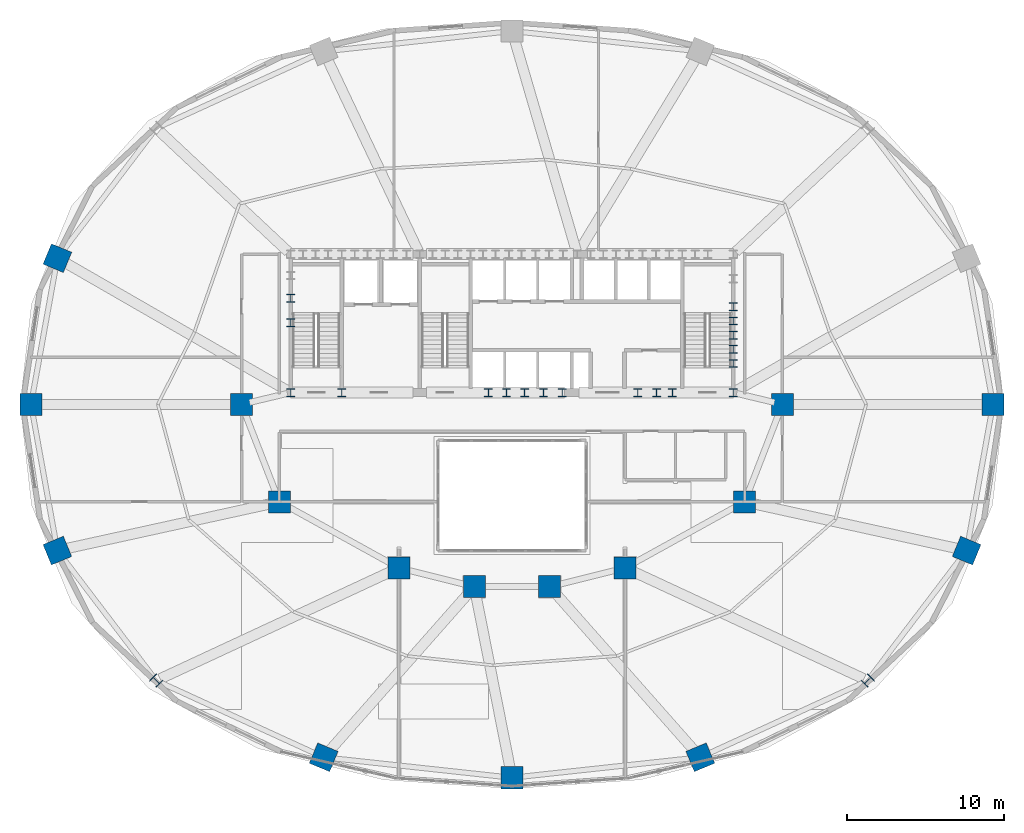
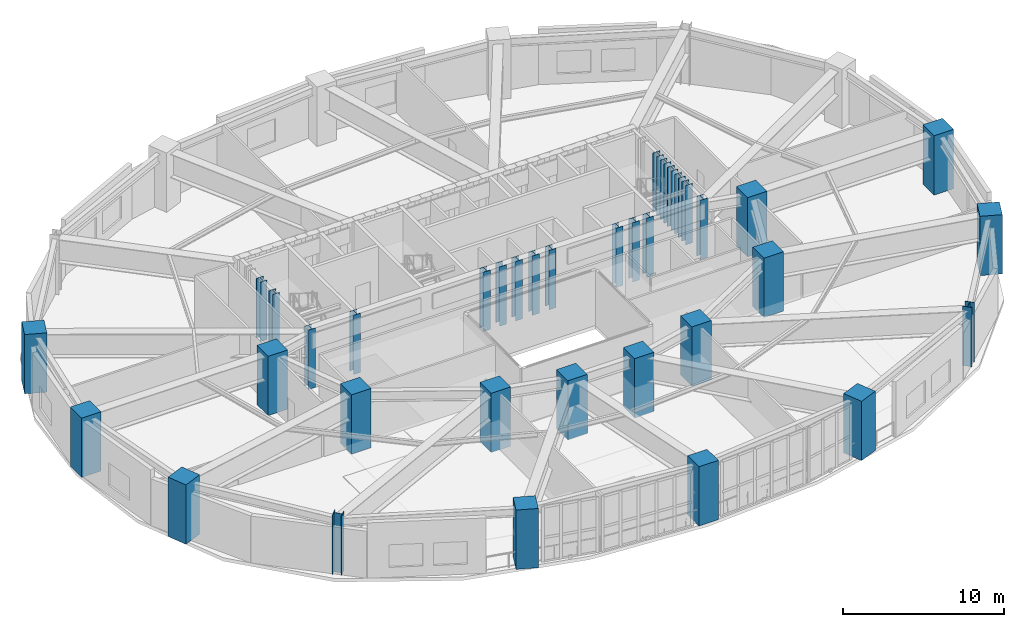
# One storey, part 1 of 13: 36 columns.
"""IFC4 building model written with IfcOpenShell, lengths in metres."""

from ifc_helpers import new_model, si_unit, direction, frame, origin, origin_2d, place, context, subcontext, project, spatial, rectangle, i_section, extrude, material, material_profile, profile_set, type_object, element, save


model = new_model("IFC4")

# Units and contexts
model_context = context("Model", 3, precision=1e-05, world=origin(), true_north=direction((0.0, 1.0)))
body_context = subcontext(model_context, "Body", "Model", "MODEL_VIEW")
ifc_project = project(units=[si_unit("LENGTHUNIT", "METRE"), si_unit("AREAUNIT", "SQUARE_METRE"), si_unit("VOLUMEUNIT", "CUBIC_METRE"), si_unit("PLANEANGLEUNIT", "RADIAN"), si_unit("MASSUNIT", "GRAM", prefix="KILO")], contexts=[model_context])

# Site, building, storey
site_placement = place(None, origin())
site = spatial("IfcSite", under=ifc_project, at=site_placement, CompositionType="ELEMENT")
building_placement = place(site_placement, origin())
building = spatial("IfcBuilding", under=site, at=building_placement, Name="Haldorwick Loom Tower", CompositionType="ELEMENT")
storey_placement = place(building_placement, frame((0.0, 0.0, 72.300048828125)))
storey = spatial("IfcBuildingStorey", under=building, at=storey_placement, Name="L19", CompositionType="ELEMENT", Elevation=72.300048828125)

# Columns
ifc_material_1 = material(Name="Concrete C60 (60 MPa)", Category="concrete")
ifc_material_profile_1 = material_profile(ifc_material_1, rectangle(XDim=1.39990234375, YDim=1.39990234375, at=origin_2d()), Name="RC1400X1400", Category="concrete")
ifc_profile_set_1 = profile_set([ifc_material_profile_1], Name="Concrete C60 (60 MPa)")
column_type_1 = type_object("IfcColumnType", Name="STR-COL-MEGA1400", PredefinedType="COLUMN", material=ifc_profile_set_1)
for number, where, z_axis, x_axis, name in (
    (1, (53.199951171875, 26.0, 0.0), (0.0, 0.0, 1.0), (1.0, 0.0, 0.0), "L19 Inner Column IC-01"),
    (2, (50.800048828125, 19.800048828125, 0.0), (0.0, 0.0, 1.0), (1.0, 0.0, 0.0), "L19 Inner Column IC-02"),
    (3, (43.199951171875, 15.60009765625, 0.0), (0.0, 0.0, 1.0), (1.0, 0.0, 0.0), "L19 Inner Column IC-03"),
    (4, (38.39990234375, 14.39990234375, 0.0), (0.0, 0.0, 1.0), (1.0, 0.0, 0.0), "L19 Inner Column IC-04"),
    (5, (33.60009765625, 14.39990234375, 0.0), (0.0, 0.0, 1.0), (1.0, 0.0, 0.0), "L19 Inner Column IC-05"),
    (6, (28.800048828125, 15.60009765625, 0.0), (0.0, 0.0, 1.0), (1.0, 0.0, 0.0), "L19 Inner Column IC-06"),
    (7, (21.199951171875, 19.800048828125, 0.0), (0.0, 0.0, 1.0), (1.0, 0.0, 0.0), "L19 Inner Column IC-07"),
    (8, (18.800048828125, 26.0, 0.0), (0.0, 0.0, 1.0), (1.0, 0.0, 0.0), "L19 Inner Column IC-08"),
):
    element("IfcColumn", number, at=place(storey_placement, frame(where, z_axis=z_axis, x_axis=x_axis)), inside=storey, type_object=column_type_1, Name=name, PredefinedType="COLUMN", context=body_context, shape_type="SweptSolid", body=[
        extrude(rectangle(XDim=1.39990234375, YDim=1.39990234375, at=origin_2d()), origin(), (0.0, 0.0, 1.0), 4.5),
    ])
ifc_material_profile_2 = material_profile(ifc_material_1, rectangle(XDim=1.39990234375, YDim=1.39990234375, at=origin_2d()), Name="RC1400X1400", Category="concrete")
ifc_profile_set_2 = profile_set([ifc_material_profile_2], Name="Concrete C60 (60 MPa)")
column_type_2 = type_object("IfcColumnType", Name="STR-COL-RC1400", PredefinedType="PILASTER", material=ifc_profile_set_2)
for number, where, z_axis, x_axis, name in (
    (9, (66.595947265625, 26.0, 0.0), (0.0, 0.0, 1.0), (1.0, 0.0, 0.0), "L19 Perimeter Pier Column P01"),
    (10, (7.08251953125, 35.29931640625, 0.0), (0.0, 0.0, 1.0), (-0.923879532511, 0.382683432365, 0.0), "L19 Perimeter Pier Column P08"),
    (11, (5.404052734375, 26.0, 0.0), (0.0, 0.0, 1.0), (-1.0, 0.0, 0.0), "L19 Perimeter Pier Column P09"),
    (12, (7.08251953125, 16.70068359375, 0.0), (0.0, 0.0, 1.0), (-0.923879532511, -0.382683432365, 0.0), "L19 Perimeter Pier Column P10"),
    (13, (24.02197265625, 3.5498046875, 0.0), (0.0, 0.0, 1.0), (-0.382683432365, -0.923879532511, 0.0), "L19 Perimeter Pier Column P12"),
    (14, (36.0, 2.25, 0.0), (0.0, 0.0, 1.0), (0.0, -1.0, 0.0), "L19 Perimeter Pier Column P13"),
    (15, (47.97802734375, 3.5498046875, 0.0), (0.0, 0.0, 1.0), (0.382683432365, -0.923879532511, 0.0), "L19 Perimeter Pier Column P14"),
    (16, (64.91748046875, 16.70068359375, 0.0), (0.0, 0.0, 1.0), (0.923879532511, -0.382683432365, 0.0), "L19 Perimeter Pier Column P16"),
):
    element("IfcColumn", number, at=place(storey_placement, frame(where, z_axis=z_axis, x_axis=x_axis)), inside=storey, type_object=column_type_2, Name=name, PredefinedType="PILASTER", context=body_context, shape_type="SweptSolid", body=[
        extrude(rectangle(XDim=1.39990234375, YDim=1.39990234375, at=origin_2d()), origin(), (0.0, 0.0, 1.0), 4.5),
    ])
ifc_material_2 = material(Name="Steel CSA G40.21 350WT", Category="steel")
ifc_material_profile_3 = material_profile(ifc_material_2, i_section(OverallWidth=0.5, OverallDepth=0.5, WebThickness=0.02197265625, FlangeThickness=0.031982421875, at=origin_2d()), Name="WWF500X500", Category="steel")
ifc_profile_set_3 = profile_set([ifc_material_profile_3], Name="Steel CSA G40.21 350WT")
column_type_3 = type_object("IfcColumnType", Name="STR-COL-WWF500", PredefinedType="COLUMN", material=ifc_profile_set_3)
for number, where, z_axis, x_axis, name in (
    (17, (21.929931640625, 26.75, 0.0), (0.0, 0.0, 1.0), (1.0, 0.0, 0.0), "L19 Core Pilaster CB-19"),
    (18, (25.169921875, 26.75, 0.0), (0.0, 0.0, 1.0), (1.0, 0.0, 0.0), "L19 Core Pilaster CB-20"),
    (19, (34.5, 26.75, 0.0), (0.0, 0.0, 1.0), (1.0, 0.0, 0.0), "L19 Core Pilaster CB-21"),
    (20, (36.800048828125, 26.75, 0.0), (0.0, 0.0, 1.0), (1.0, 0.0, 0.0), "L19 Core Pilaster CB-22"),
    (21, (39.199951171875, 26.75, 0.0), (0.0, 0.0, 1.0), (1.0, 0.0, 0.0), "L19 Core Pilaster CB-23"),
    (22, (45.199951171875, 26.75, 0.0), (0.0, 0.0, 1.0), (1.0, 0.0, 0.0), "L19 Core Pilaster CB-24"),
    (23, (50.070068359375, 26.75, 0.0), (0.0, 0.0, 1.0), (1.0, 0.0, 0.0), "L19 Core Pilaster CB-25"),
    (24, (21.929931640625, 31.199951171875, 0.0), (0.0, 0.0, 1.0), (1.0, 0.0, 0.0), "L19 Core Pilaster CB-26"),
    (25, (21.929931640625, 32.75, 0.0), (0.0, 0.0, 1.0), (1.0, 0.0, 0.0), "L19 Core Pilaster CB-27"),
    (26, (50.070068359375, 28.60009765625, 0.0), (0.0, 0.0, 1.0), (1.0, 0.0, 0.0), "L19 Core Pilaster CB-29"),
    (27, (50.070068359375, 30.39990234375, 0.0), (0.0, 0.0, 1.0), (1.0, 0.0, 0.0), "L19 Core Pilaster CB-30"),
    (28, (50.070068359375, 32.199951171875, 0.0), (0.0, 0.0, 1.0), (1.0, 0.0, 0.0), "L19 Core Pilaster CB-31"),
    (29, (50.070068359375, 29.5, 0.0), (0.0, 0.0, 1.0), (1.0, 0.0, 0.0), "L19 Core Pilaster CB-49"),
    (30, (50.070068359375, 31.300048828125, 0.0), (0.0, 0.0, 1.0), (1.0, 0.0, 0.0), "L19 Core Pilaster CB-50"),
    (31, (35.64990234375, 26.75, 0.0), (0.0, 0.0, 1.0), (1.0, 0.0, 0.0), "L19 Core Pilaster CB-51"),
    (32, (38.0, 26.75, 0.0), (0.0, 0.0, 1.0), (1.0, 0.0, 0.0), "L19 Core Pilaster CB-52"),
    (33, (44.0, 26.75, 0.0), (0.0, 0.0, 1.0), (1.0, 0.0, 0.0), "L19 Core Pilaster CB-53"),
    (34, (46.199951171875, 26.75, 0.0), (0.0, 0.0, 1.0), (1.0, 0.0, 0.0), "L19 Core Pilaster CB-54"),
):
    element("IfcColumn", number, at=place(storey_placement, frame(where, z_axis=z_axis, x_axis=x_axis)), inside=storey, type_object=column_type_3, Name=name, PredefinedType="COLUMN", context=body_context, shape_type="SweptSolid", body=[
        extrude(i_section(OverallWidth=0.5, OverallDepth=0.5, WebThickness=0.02197265625, FlangeThickness=0.031982421875, at=origin_2d()), origin(), (0.0, 0.0, 1.0), 4.5),
    ])
ifc_material_profile_4 = material_profile(ifc_material_2, i_section(OverallWidth=0.60009765625, OverallDepth=0.60009765625, WebThickness=0.02490234375, FlangeThickness=0.035888671875, at=origin_2d()), Name="WWF600X600", Category="steel")
ifc_profile_set_4 = profile_set([ifc_material_profile_4], Name="Steel CSA G40.21 350WT")
column_type_4 = type_object("IfcColumnType", Name="STR-COL-WWF600", PredefinedType="COLUMN", material=ifc_profile_set_4)
for number, where, z_axis, x_axis, name in (
    (35, (13.369873046875, 8.428466796875, 0.0), (0.0, 0.0, 1.0), (-0.707106781187, -0.707106781187, 0.0), "L19 Perimeter Pier Column P11"),
    (36, (58.630126953125, 8.428466796875, 0.0), (0.0, 0.0, 1.0), (0.707106781187, -0.707106781187, 0.0), "L19 Perimeter Pier Column P15"),
):
    element("IfcColumn", number, at=place(storey_placement, frame(where, z_axis=z_axis, x_axis=x_axis)), inside=storey, type_object=column_type_4, Name=name, PredefinedType="COLUMN", context=body_context, shape_type="SweptSolid", body=[
        extrude(i_section(OverallWidth=0.60009765625, OverallDepth=0.60009765625, WebThickness=0.02490234375, FlangeThickness=0.035888671875, at=origin_2d()), origin(), (0.0, 0.0, 1.0), 4.5),
    ])

save(model, "model.ifc")
